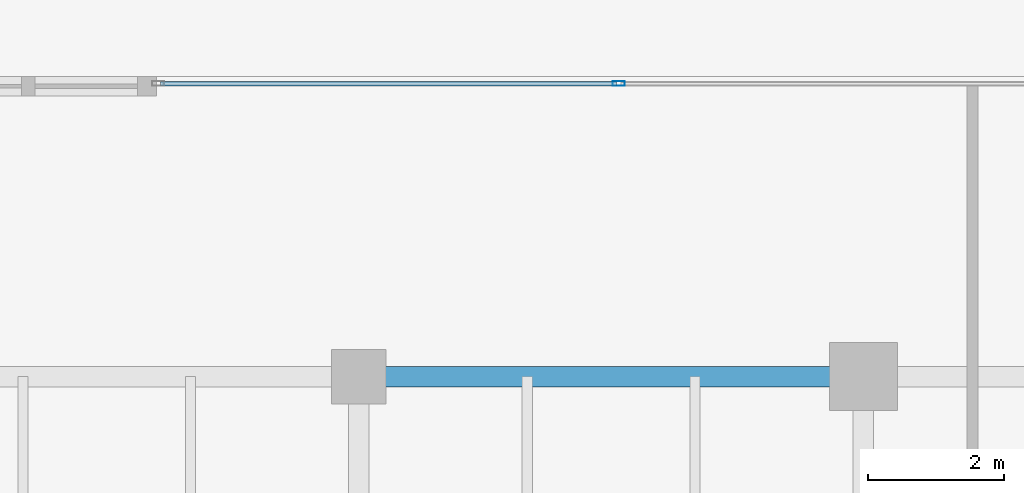
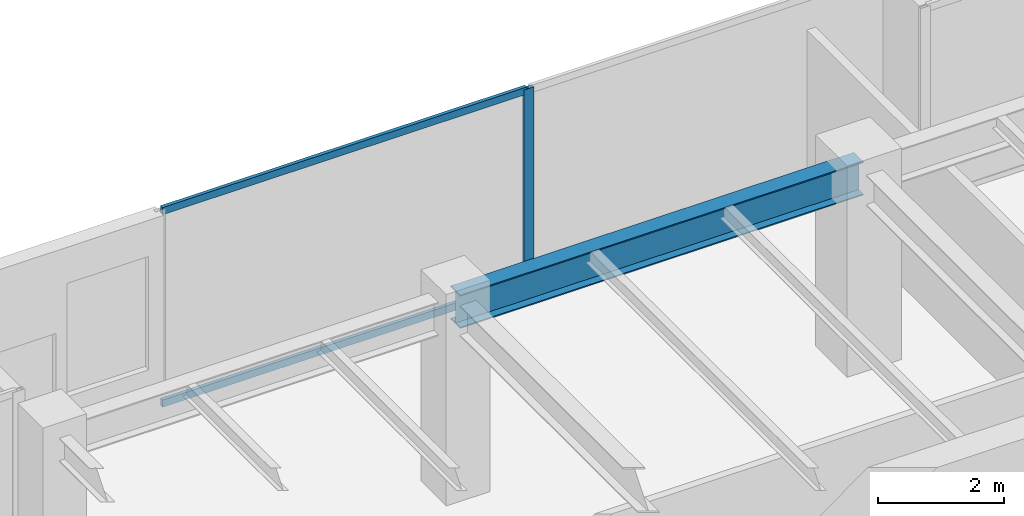
# One storey, part 15 of 34: 3 members, 1 beam, 1 element without a shape of its own.
"""IFC4 building model written with IfcOpenShell, lengths in metres."""

from ifc_helpers import new_model, si_unit, direction, frame, origin, origin_2d, place, context, subcontext, project, spatial, hollow_rectangle, i_section, extrude, source, transform, mapped, material, layer, layer_set, material_profile, profile_set, type_object, type_shapes, element, aggregate, save


model = new_model("IFC4")

# Units and contexts
model_context = context("Model", 3, precision=1e-05, world=origin(), true_north=direction((0.0, 1.0)))
body_context = subcontext(model_context, "Body", "Model", "MODEL_VIEW")
ifc_project = project(units=[si_unit("LENGTHUNIT", "METRE"), si_unit("AREAUNIT", "SQUARE_METRE"), si_unit("VOLUMEUNIT", "CUBIC_METRE"), si_unit("PLANEANGLEUNIT", "RADIAN"), si_unit("MASSUNIT", "GRAM", prefix="KILO")], contexts=[model_context])

# Site, building, storey
site_placement = place(None, origin())
site = spatial("IfcSite", under=ifc_project, at=site_placement, CompositionType="ELEMENT")
building_placement = place(site_placement, origin())
building = spatial("IfcBuilding", under=site, at=building_placement, Name="Haelvirn Gate Laboratories", CompositionType="ELEMENT")
storey_placement = place(building_placement, frame((0.0, 0.0, 205.5)))
storey = spatial("IfcBuildingStorey", under=building, at=storey_placement, Name="L49", CompositionType="ELEMENT", Elevation=205.5)

# Beam
ifc_material_1 = material(Name="Steel SM355", Category="steel")
ifc_material_profile_1 = material_profile(ifc_material_1, i_section(OverallWidth=0.300048828125, OverallDepth=0.64990234375, WebThickness=0.012939453125, FlangeThickness=0.02197265625, at=origin_2d()), Name="H-650x300x13x22")
ifc_profile_set_1 = profile_set([ifc_material_profile_1], Name="Steel SM355")
beam_type = type_object("IfcBeamType", Name="BM-G-650", PredefinedType="BEAM", material=ifc_profile_set_1)
shared_shape_1 = source(origin(), body_context, "Body", "SweptSolid", [
    extrude(i_section(OverallWidth=0.300048828125, OverallDepth=0.64990234375, WebThickness=0.012939453125, FlangeThickness=0.02197265625, at=origin_2d()), origin(), (0.0, 0.0, 1.0), 7.39990234375),
])
type_shapes(beam_type, [shared_shape_1])
beam_placement = place(storey_placement, frame((14.800048828125, 41.60009765625, 3.47509765625), z_axis=(1.0, 0.0, 0.0), x_axis=(0.0, 1.0, 0.0)))
element("IfcBeam", 1, at=beam_placement, inside=storey, type_object=beam_type, Name="L49 Primary Girder Y41.6 (14.8-22.2)", PredefinedType="BEAM", context=body_context, shape_type="MappedRepresentation", body=[
    mapped(shared_shape_1, transform((0.0, 0.0, 0.0), scale=1.0)),
])

# Curtain wall, members
ifc_material_2 = material(Name="Anodised bronze unitised aluminium & triple low-E glass", Category="aluminium")
ifc_layer = layer(ifc_material_2, 0.176025390625, Name="CW-SYS-4")
ifc_layer_set = layer_set([ifc_layer], Name="Anodised bronze unitised aluminium & triple low-E glass")
curtain_wall_type = type_object("IfcCurtainWallType", Name="CW-SYS-4", PredefinedType="NOTDEFINED", material=ifc_layer_set)
curtain_wall_placement = place(storey_placement, origin())
curtain_wall = element("IfcCurtainWall", 2, at=curtain_wall_placement, inside=storey, type_object=curtain_wall_type, Name="L49 Unitised Curtain Wall CW-L49-P0-E14-2", PredefinedType="NOTDEFINED")
ifc_material_3 = material(Name="Extruded aluminium 6063-T6 (anodised bronze)", Category="aluminium")
ifc_material_profile_2 = material_profile(ifc_material_3, hollow_rectangle(XDim=0.070068359375, YDim=0.179931640625, WallThickness=0.0048828125, at=origin_2d()), Name="CWM-180x70x5")
ifc_profile_set_2 = profile_set([ifc_material_profile_2], Name="Extruded aluminium 6063-T6 (anodised bronze)")
member_type_1 = type_object("IfcMemberType", Name="CWM-T180", PredefinedType="MULLION", material=ifc_profile_set_2)
shared_shape_2 = source(origin(), body_context, "Body", "SweptSolid", [
    extrude(hollow_rectangle(XDim=0.070068359375, YDim=0.179931640625, WallThickness=0.0048828125, at=origin_2d()), origin(), (0.0, 0.0, 1.0), 3.800048828125),
])
type_shapes(member_type_1, [shared_shape_2])
member_1_placement = place(storey_placement, frame((18.610107421875, 45.89990234375, 0.0), z_axis=(0.0, 0.0, 1.0), x_axis=(0.0, 1.0, 0.0)))
member_1 = element("IfcMember", 3, at=member_1_placement, type_object=member_type_1, Name="CW4 mullion 2", PredefinedType="MULLION", context=body_context, shape_type="MappedRepresentation", body=[
    mapped(shared_shape_2, transform((0.0, 0.0, 0.0), scale=1.0)),
])
ifc_material_profile_3 = material_profile(ifc_material_3, hollow_rectangle(XDim=0.06494140625, YDim=0.139892578125, WallThickness=0.00390625, at=origin_2d()), Name="CWT-140x65x4")
ifc_profile_set_3 = profile_set([ifc_material_profile_3], Name="Extruded aluminium 6063-T6 (anodised bronze)")
member_type_2 = type_object("IfcMemberType", Name="CWT-T140", PredefinedType="USERDEFINED", material=ifc_profile_set_3)
shared_shape_3 = source(origin(), body_context, "Body", "SweptSolid", [
    extrude(hollow_rectangle(XDim=0.06494140625, YDim=0.139892578125, WallThickness=0.00390625, at=origin_2d()), origin(), (0.0, 0.0, 1.0), 6.68505859375),
])
type_shapes(member_type_2, [shared_shape_3])
member_2_placement = place(storey_placement, frame((11.889892578125, 45.89990234375, 0.032470703125), z_axis=(1.0, 0.0, 0.0), x_axis=(0.0, 1.0, 0.0)))
member_2 = element("IfcMember", 4, at=member_2_placement, type_object=member_type_2, Name="CW4 transom 1.1", ObjectType="TRANSOM", PredefinedType="USERDEFINED", context=body_context, shape_type="MappedRepresentation", body=[
    mapped(shared_shape_3, transform((0.0, 0.0, 0.0), scale=1.0)),
])
member_3_placement = place(storey_placement, frame((11.889892578125, 45.89990234375, 3.767578125), z_axis=(1.0, 0.0, 0.0), x_axis=(0.0, 1.0, 0.0)))
member_3 = element("IfcMember", 5, at=member_3_placement, type_object=member_type_2, Name="CW4 transom 1.2", ObjectType="TRANSOM", PredefinedType="USERDEFINED", context=body_context, shape_type="MappedRepresentation", body=[
    mapped(shared_shape_3, transform((0.0, 0.0, 0.0), scale=1.0)),
])
aggregate(curtain_wall, [member_1, member_2, member_3])

save(model, "model.ifc")
